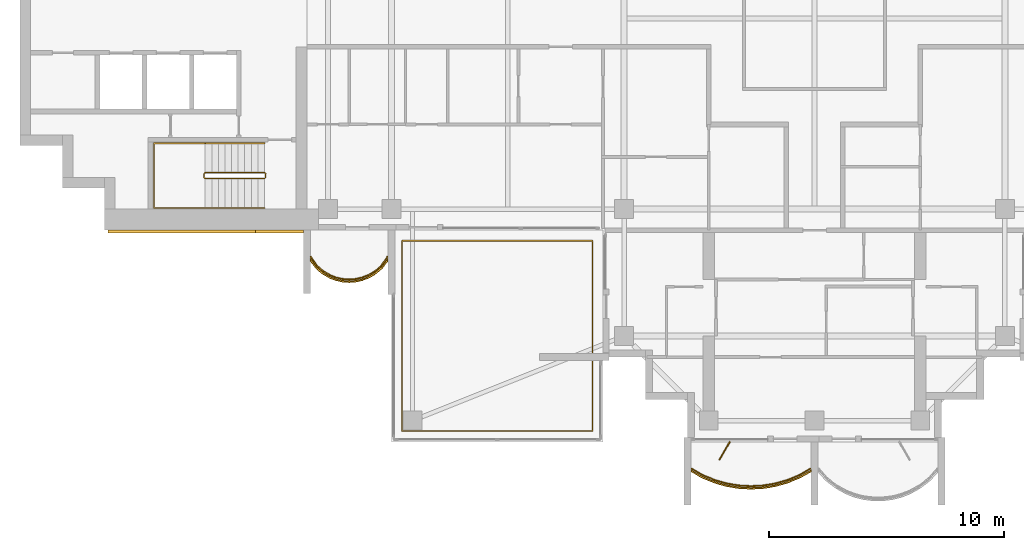
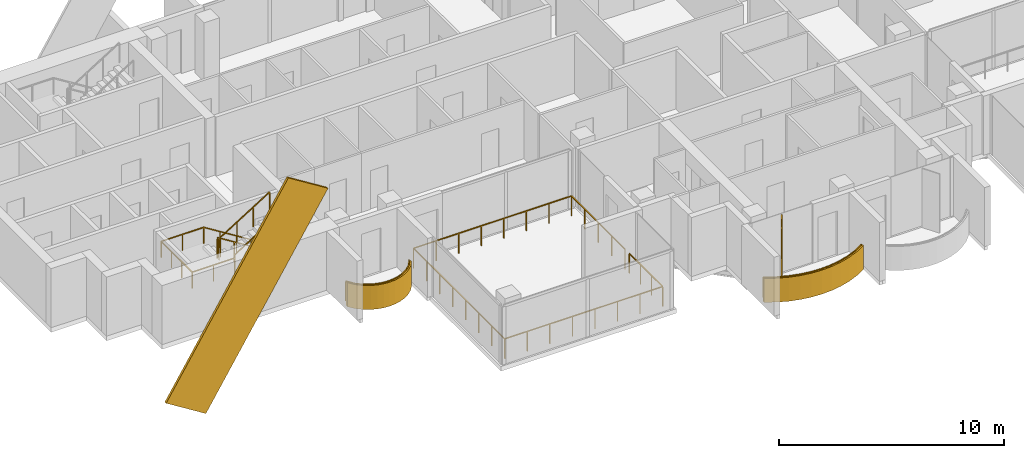
# One storey, part 15 of 18: 5 railings, 3 coverings, 1 shading device.
"""IFC4 building model written with IfcOpenShell, lengths in metres."""

from ifc_helpers import new_model, si_unit, direction, frame, origin, origin_2d, place, context, subcontext, project, spatial, polyline, rectangle, outline, extrude, material, layer, layer_set, material_profile, profile_set, type_object, element, save


model = new_model("IFC4")

# Units and contexts
model_context = context("Model", 3, precision=1e-05, world=origin(), true_north=direction((0.0, 1.0)))
body_context = subcontext(model_context, "Body", "Model", "MODEL_VIEW")
ifc_project = project(units=[si_unit("LENGTHUNIT", "METRE"), si_unit("AREAUNIT", "SQUARE_METRE"), si_unit("VOLUMEUNIT", "CUBIC_METRE"), si_unit("PLANEANGLEUNIT", "RADIAN"), si_unit("MASSUNIT", "GRAM", prefix="KILO")], contexts=[model_context])

# Site, building, storey
site_placement = place(None, origin())
site = spatial("IfcSite", under=ifc_project, at=site_placement, CompositionType="ELEMENT")
building_placement = place(site_placement, origin())
building = spatial("IfcBuilding", under=site, at=building_placement, Name="Perihelion Cross Residences", CompositionType="ELEMENT")
storey_placement = place(building_placement, frame((0.0, 0.0, 281.5)))
storey = spatial("IfcBuildingStorey", under=building, at=storey_placement, Name="L72", CompositionType="ELEMENT", Elevation=281.5)

# Coverings
ifc_material_1 = material(Name="Bronze anodised aluminium", Category="aluminium")
ifc_layer_1 = layer(ifc_material_1, 0.070068359375)
ifc_layer_set_1 = layer_set([ifc_layer_1], Name="Balcony fascia 1300")
covering_type_1 = type_object("IfcCoveringType", Name="Balcony fascia 1300", PredefinedType="CLADDING", material=ifc_layer_set_1)
covering_1_placement = place(storey_placement, frame((0.0, 0.0, -0.199951171875)))
element("IfcCovering", 1, at=covering_1_placement, inside=storey, type_object=covering_type_1, Name="Fascia BF1 L72 west side south bay 1", PredefinedType="CLADDING", context=body_context, shape_type="SweptSolid", body=[
    extrude(outline(polyline([(-21.226318359375, -10.616455078125), (-20.94091796875, -10.86328125), (-20.655517578125, -11.031494140625), (-20.370361328125, -11.142578125), (-20.085205078125, -11.206298828125), (-19.800048828125, -11.22705078125), (-19.514892578125, -11.206298828125), (-19.229736328125, -11.142578125), (-18.9443359375, -11.031494140625), (-18.6591796875, -10.86328125), (-18.373779296875, -10.616455078125), (-18.14990234375, -10.31689453125), (-18.14990234375, -10.199951171875), (-18.425048828125, -10.568603515625), (-18.699951171875, -10.806396484375), (-18.97509765625, -10.96875), (-19.25, -11.07568359375), (-19.52490234375, -11.136962890625), (-19.800048828125, -11.156982421875), (-20.074951171875, -11.136962890625), (-20.35009765625, -11.07568359375), (-20.625, -10.96875), (-20.89990234375, -10.806396484375), (-21.175048828125, -10.568603515625), (-21.449951171875, -10.199951171875), (-21.449951171875, -10.31689453125), (-21.226318359375, -10.616455078125)])), origin(), (0.0, 0.0, 1.0), 1.300048828125),
])
covering_2_placement = place(storey_placement, frame((0.0, 0.0, -0.199951171875)))
element("IfcCovering", 2, at=covering_2_placement, inside=storey, type_object=covering_type_1, Name="Fascia BF1 L72 south tip south bay 1", PredefinedType="CLADDING", context=body_context, shape_type="SweptSolid", body=[
    extrude(outline(polyline([(-4.7705078125, -19.54833984375), (-4.2529296875, -19.7607421875), (-3.735107421875, -19.906494140625), (-3.217529296875, -19.991943359375), (-2.699951171875, -20.02001953125), (-2.182373046875, -19.991943359375), (-1.664794921875, -19.906494140625), (-1.147216796875, -19.7607421875), (-0.629638671875, -19.54833984375), (-0.14990234375, -19.2802734375), (-0.14990234375, -19.199951171875), (-0.659912109375, -19.4853515625), (-1.169921875, -19.694580078125), (-1.679931640625, -19.838134765625), (-2.18994140625, -19.92236328125), (-2.699951171875, -19.949951171875), (-3.2099609375, -19.92236328125), (-3.719970703125, -19.838134765625), (-4.22998046875, -19.694580078125), (-4.739990234375, -19.4853515625), (-5.25, -19.199951171875), (-5.25, -19.2802734375), (-4.7705078125, -19.54833984375)])), origin(), (0.0, 0.0, 1.0), 1.300048828125),
])

# Railings
ifc_material_2 = material(Name="Bronze anodised aluminium", Category="aluminium")
railing_type_1 = type_object("IfcRailingType", Name="Balcony guard 1100", PredefinedType="GUARDRAIL", material=ifc_material_2)
railing_1_placement = place(storey_placement, frame((-21.425048828125, -10.139892578125, 0.0)))
element("IfcRailing", 3, at=railing_1_placement, inside=storey, type_object=railing_type_1, Name="Guard GU1 L72 west side south bay 1 balcony", PredefinedType="GUARDRAIL", context=body_context, shape_type="SweptSolid", body=[
    extrude(rectangle(XDim=0.048095703125, YDim=0.048095703125, at=origin_2d()), frame((0.0, 0.0, 1.076171875), z_axis=(0.561260132269, -0.827639452857, 0.0), x_axis=(0.827639452857, 0.561260132269, 0.0)), (0.0, 0.0, 1.0), 0.4453125),
    extrude(rectangle(XDim=0.048095703125, YDim=0.048095703125, at=origin_2d()), frame((0.25, -0.36865234375, 1.076171875), z_axis=(0.756596535164, -0.653882009982, 0.0), x_axis=(0.653882009982, 0.756596535164, 0.0)), (0.0, 0.0, 1.0), 0.36376953125),
    extrude(rectangle(XDim=0.048095703125, YDim=0.048095703125, at=origin_2d()), frame((0.525146484375, -0.6064453125, 1.076171875), z_axis=(0.861048292884, -0.508523192511, 0.0), x_axis=(0.508523192511, 0.861048292884, 0.0)), (0.0, 0.0, 1.0), 0.3193359375),
    extrude(rectangle(XDim=0.048095703125, YDim=0.048095703125, at=origin_2d()), frame((0.800048828125, -0.768798828125, 1.076171875), z_axis=(0.931973602183, -0.362526143656, 0.0), x_axis=(0.362526143656, 0.931973602183, 0.0)), (0.0, 0.0, 1.0), 0.294921875),
    extrude(rectangle(XDim=0.048095703125, YDim=0.048095703125, at=origin_2d()), frame((1.074951171875, -0.875732421875, 1.076171875), z_axis=(0.976085059389, -0.21738895289, 0.0), x_axis=(0.21738895289, 0.976085059389, 0.0)), (0.0, 0.0, 1.0), 0.281982421875),
    extrude(rectangle(XDim=0.048095703125, YDim=0.048095703125, at=origin_2d()), frame((1.35009765625, -0.93701171875, 1.076171875), z_axis=(0.997358821833, -0.072631814734, 0.0), x_axis=(0.072631814734, 0.997358821833, 0.0)), (0.0, 0.0, 1.0), 0.275634765625),
    extrude(rectangle(XDim=0.048095703125, YDim=0.048095703125, at=origin_2d()), frame((1.625, -0.95703125, 1.076171875), z_axis=(0.997363488337, 0.072567707226, 0.0), x_axis=(-0.072567707226, 0.997363488337, 0.0)), (0.0, 0.0, 1.0), 0.27587890625),
    extrude(rectangle(XDim=0.048095703125, YDim=0.048095703125, at=origin_2d()), frame((1.900146484375, -0.93701171875, 1.076171875), z_axis=(0.976044077717, 0.217572880557, 0.0), x_axis=(-0.217572880557, 0.976044077717, 0.0)), (0.0, 0.0, 1.0), 0.28173828125),
    extrude(rectangle(XDim=0.048095703125, YDim=0.048095703125, at=origin_2d()), frame((2.175048828125, -0.875732421875, 1.076171875), z_axis=(0.931973602183, 0.362526143656, 0.0), x_axis=(-0.362526143656, 0.931973602183, 0.0)), (0.0, 0.0, 1.0), 0.294921875),
    extrude(rectangle(XDim=0.048095703125, YDim=0.048095703125, at=origin_2d()), frame((2.449951171875, -0.768798828125, 1.076171875), z_axis=(0.861245845072, 0.508188542123, 0.0), x_axis=(-0.508188542123, 0.861245845072, 0.0)), (0.0, 0.0, 1.0), 0.319580078125),
    extrude(rectangle(XDim=0.048095703125, YDim=0.048095703125, at=origin_2d()), frame((2.72509765625, -0.6064453125, 1.076171875), z_axis=(0.756309278473, 0.654214242658, 0.0), x_axis=(-0.654214242658, 0.756309278473, 0.0)), (0.0, 0.0, 1.0), 0.363525390625),
    extrude(rectangle(XDim=0.048095703125, YDim=0.048095703125, at=origin_2d()), frame((3.0, -0.36865234375, 1.076171875), z_axis=(0.561260132269, 0.827639452857, 0.0), x_axis=(-0.827639452857, 0.561260132269, 0.0)), (0.0, 0.0, 1.0), 0.4453125),
    extrude(rectangle(XDim=0.0419921875, YDim=0.0419921875, at=origin_2d()), origin(), (0.0, 0.0, 1.0), 1.052001953125),
    extrude(rectangle(XDim=0.0419921875, YDim=0.0419921875, at=origin_2d()), frame((0.25, -0.36865234375, 0.0)), (0.0, 0.0, 1.0), 1.052001953125),
    extrude(rectangle(XDim=0.0419921875, YDim=0.0419921875, at=origin_2d()), frame((0.525146484375, -0.6064453125, 0.0)), (0.0, 0.0, 1.0), 1.052001953125),
    extrude(rectangle(XDim=0.0419921875, YDim=0.0419921875, at=origin_2d()), frame((0.800048828125, -0.768798828125, 0.0)), (0.0, 0.0, 1.0), 1.052001953125),
    extrude(rectangle(XDim=0.0419921875, YDim=0.0419921875, at=origin_2d()), frame((1.074951171875, -0.875732421875, 0.0)), (0.0, 0.0, 1.0), 1.052001953125),
    extrude(rectangle(XDim=0.0419921875, YDim=0.0419921875, at=origin_2d()), frame((1.35009765625, -0.93701171875, 0.0)), (0.0, 0.0, 1.0), 1.052001953125),
    extrude(rectangle(XDim=0.0419921875, YDim=0.0419921875, at=origin_2d()), frame((1.625, -0.95703125, 0.0)), (0.0, 0.0, 1.0), 1.052001953125),
    extrude(rectangle(XDim=0.0419921875, YDim=0.0419921875, at=origin_2d()), frame((1.900146484375, -0.93701171875, 0.0)), (0.0, 0.0, 1.0), 1.052001953125),
    extrude(rectangle(XDim=0.0419921875, YDim=0.0419921875, at=origin_2d()), frame((2.175048828125, -0.875732421875, 0.0)), (0.0, 0.0, 1.0), 1.052001953125),
    extrude(rectangle(XDim=0.0419921875, YDim=0.0419921875, at=origin_2d()), frame((2.449951171875, -0.768798828125, 0.0)), (0.0, 0.0, 1.0), 1.052001953125),
    extrude(rectangle(XDim=0.0419921875, YDim=0.0419921875, at=origin_2d()), frame((2.72509765625, -0.6064453125, 0.0)), (0.0, 0.0, 1.0), 1.052001953125),
    extrude(rectangle(XDim=0.0419921875, YDim=0.0419921875, at=origin_2d()), frame((3.0, -0.36865234375, 0.0)), (0.0, 0.0, 1.0), 1.052001953125),
    extrude(rectangle(XDim=0.0419921875, YDim=0.0419921875, at=origin_2d()), frame((3.25, 0.0, 0.0)), (0.0, 0.0, 1.0), 1.052001953125),
])
railing_2_placement = place(storey_placement, frame((-5.22509765625, -19.139892578125, 0.0)))
element("IfcRailing", 4, at=railing_2_placement, inside=storey, type_object=railing_type_1, Name="Guard GU1 L72 south tip south bay 1 balcony", PredefinedType="GUARDRAIL", context=body_context, shape_type="SweptSolid", body=[
    extrude(rectangle(XDim=0.048095703125, YDim=0.048095703125, at=origin_2d()), frame((0.0, 0.0, 1.076171875), z_axis=(0.861900760591, -0.507076995033, 0.0), x_axis=(0.507076995033, 0.861900760591, 0.0)), (0.0, 0.0, 1.0), 0.562744140625),
    extrude(rectangle(XDim=0.048095703125, YDim=0.048095703125, at=origin_2d()), frame((0.485107421875, -0.285400390625, 1.076171875), z_axis=(0.925172605972, -0.379546636342, 0.0), x_axis=(0.379546636342, 0.925172605972, 0.0)), (0.0, 0.0, 1.0), 0.55126953125),
    extrude(rectangle(XDim=0.048095703125, YDim=0.048095703125, at=origin_2d()), frame((0.9951171875, -0.49462890625, 1.076171875), z_axis=(0.962474364231, -0.271372618732, 0.0), x_axis=(0.271372618732, 0.962474364231, 0.0)), (0.0, 0.0, 1.0), 0.52978515625),
    extrude(rectangle(XDim=0.048095703125, YDim=0.048095703125, at=origin_2d()), frame((1.505126953125, -0.638427734375, 1.076171875), z_axis=(0.986711211531, -0.162483799314, 0.0), x_axis=(0.162483799314, 0.986711211531, 0.0)), (0.0, 0.0, 1.0), 0.516845703125),
    extrude(rectangle(XDim=0.048095703125, YDim=0.048095703125, at=origin_2d()), frame((2.01513671875, -0.722412109375, 1.076171875), z_axis=(0.998540183677, -0.05401390175, 0.0), x_axis=(0.05401390175, 0.998540183677, 0.0)), (0.0, 0.0, 1.0), 0.5107421875),
    extrude(rectangle(XDim=0.048095703125, YDim=0.048095703125, at=origin_2d()), frame((2.525146484375, -0.75, 1.076171875), z_axis=(0.998540183677, 0.05401390175, 0.0), x_axis=(-0.05401390175, 0.998540183677, 0.0)), (0.0, 0.0, 1.0), 0.5107421875),
    extrude(rectangle(XDim=0.048095703125, YDim=0.048095703125, at=origin_2d()), frame((3.03515625, -0.722412109375, 1.076171875), z_axis=(0.986711211531, 0.162483799314, 0.0), x_axis=(-0.162483799314, 0.986711211531, 0.0)), (0.0, 0.0, 1.0), 0.516845703125),
    extrude(rectangle(XDim=0.048095703125, YDim=0.048095703125, at=origin_2d()), frame((3.545166015625, -0.638427734375, 1.076171875), z_axis=(0.962474364231, 0.271372618732, 0.0), x_axis=(-0.271372618732, 0.962474364231, 0.0)), (0.0, 0.0, 1.0), 0.52978515625),
    extrude(rectangle(XDim=0.048095703125, YDim=0.048095703125, at=origin_2d()), frame((4.05517578125, -0.49462890625, 1.076171875), z_axis=(0.925172605972, 0.379546636342, 0.0), x_axis=(-0.379546636342, 0.925172605972, 0.0)), (0.0, 0.0, 1.0), 0.55126953125),
    extrude(rectangle(XDim=0.048095703125, YDim=0.048095703125, at=origin_2d()), frame((4.565185546875, -0.285400390625, 1.076171875), z_axis=(0.861789164031, 0.507266632806, 0.0), x_axis=(-0.507266632806, 0.861789164031, 0.0)), (0.0, 0.0, 1.0), 0.562744140625),
    extrude(rectangle(XDim=0.0419921875, YDim=0.0419921875, at=origin_2d()), origin(), (0.0, 0.0, 1.0), 1.052001953125),
    extrude(rectangle(XDim=0.0419921875, YDim=0.0419921875, at=origin_2d()), frame((0.485107421875, -0.285400390625, 0.0)), (0.0, 0.0, 1.0), 1.052001953125),
    extrude(rectangle(XDim=0.0419921875, YDim=0.0419921875, at=origin_2d()), frame((0.9951171875, -0.49462890625, 0.0)), (0.0, 0.0, 1.0), 1.052001953125),
    extrude(rectangle(XDim=0.0419921875, YDim=0.0419921875, at=origin_2d()), frame((1.505126953125, -0.638427734375, 0.0)), (0.0, 0.0, 1.0), 1.052001953125),
    extrude(rectangle(XDim=0.0419921875, YDim=0.0419921875, at=origin_2d()), frame((2.01513671875, -0.722412109375, 0.0)), (0.0, 0.0, 1.0), 1.052001953125),
    extrude(rectangle(XDim=0.0419921875, YDim=0.0419921875, at=origin_2d()), frame((2.525146484375, -0.75, 0.0)), (0.0, 0.0, 1.0), 1.052001953125),
    extrude(rectangle(XDim=0.0419921875, YDim=0.0419921875, at=origin_2d()), frame((3.03515625, -0.722412109375, 0.0)), (0.0, 0.0, 1.0), 1.052001953125),
    extrude(rectangle(XDim=0.0419921875, YDim=0.0419921875, at=origin_2d()), frame((3.545166015625, -0.638427734375, 0.0)), (0.0, 0.0, 1.0), 1.052001953125),
    extrude(rectangle(XDim=0.0419921875, YDim=0.0419921875, at=origin_2d()), frame((4.05517578125, -0.49462890625, 0.0)), (0.0, 0.0, 1.0), 1.052001953125),
    extrude(rectangle(XDim=0.0419921875, YDim=0.0419921875, at=origin_2d()), frame((4.565185546875, -0.285400390625, 0.0)), (0.0, 0.0, 1.0), 1.052001953125),
    extrude(rectangle(XDim=0.0419921875, YDim=0.0419921875, at=origin_2d()), frame((5.050048828125, 0.0, 0.0)), (0.0, 0.0, 1.0), 1.052001953125),
])
railing_3_placement = place(storey_placement, frame((-9.449951171875, -14.590087890625, 0.0)))
element("IfcRailing", 5, at=railing_3_placement, inside=storey, type_object=railing_type_1, Name="Guard GU1 L72 pocket south-west 1", PredefinedType="GUARDRAIL", context=body_context, shape_type="SweptSolid", body=[
    extrude(rectangle(XDim=0.048095703125, YDim=0.048095703125, at=origin_2d()), frame((0.0, 0.0, 1.076171875), z_axis=(0.0, -1.0, 0.0), x_axis=(1.0, 0.0, 0.0)), (0.0, 0.0, 1.0), 2.9599609375),
    extrude(rectangle(XDim=0.048095703125, YDim=0.048095703125, at=origin_2d()), frame((0.0, -2.9599609375, 1.076171875), z_axis=(-1.0, 0.0, 0.0), x_axis=(0.0, -1.0, 0.0)), (0.0, 0.0, 1.0), 8.10009765625),
    extrude(rectangle(XDim=0.048095703125, YDim=0.048095703125, at=origin_2d()), frame((-8.10009765625, -2.9599609375, 1.076171875), z_axis=(0.0, 1.0, 0.0), x_axis=(-1.0, 0.0, 0.0)), (0.0, 0.0, 1.0), 8.10009765625),
    extrude(rectangle(XDim=0.048095703125, YDim=0.048095703125, at=origin_2d()), frame((-8.10009765625, 5.14013671875, 1.076171875), z_axis=(1.0, 0.0, 0.0), x_axis=(0.0, 1.0, 0.0)), (0.0, 0.0, 1.0), 8.10009765625),
    extrude(rectangle(XDim=0.048095703125, YDim=0.048095703125, at=origin_2d()), frame((0.0, 5.14013671875, 1.076171875), z_axis=(0.0, -1.0, 0.0), x_axis=(1.0, 0.0, 0.0)), (0.0, 0.0, 1.0), 4.760009765625),
    extrude(rectangle(XDim=0.0419921875, YDim=0.0419921875, at=origin_2d()), origin(), (0.0, 0.0, 1.0), 1.052001953125),
    extrude(rectangle(XDim=0.0419921875, YDim=0.0419921875, at=origin_2d()), frame((0.0, -0.986572265625, 0.0)), (0.0, 0.0, 1.0), 1.052001953125),
    extrude(rectangle(XDim=0.0419921875, YDim=0.0419921875, at=origin_2d()), frame((0.0, -1.973388671875, 0.0)), (0.0, 0.0, 1.0), 1.052001953125),
    extrude(rectangle(XDim=0.0419921875, YDim=0.0419921875, at=origin_2d()), frame((0.0, -2.9599609375, 0.0)), (0.0, 0.0, 1.0), 1.052001953125),
    extrude(rectangle(XDim=0.0419921875, YDim=0.0419921875, at=origin_2d()), frame((-1.1572265625, -2.9599609375, 0.0)), (0.0, 0.0, 1.0), 1.052001953125),
    extrude(rectangle(XDim=0.0419921875, YDim=0.0419921875, at=origin_2d()), frame((-2.314208984375, -2.9599609375, 0.0)), (0.0, 0.0, 1.0), 1.052001953125),
    extrude(rectangle(XDim=0.0419921875, YDim=0.0419921875, at=origin_2d()), frame((-3.471435546875, -2.9599609375, 0.0)), (0.0, 0.0, 1.0), 1.052001953125),
    extrude(rectangle(XDim=0.0419921875, YDim=0.0419921875, at=origin_2d()), frame((-4.628662109375, -2.9599609375, 0.0)), (0.0, 0.0, 1.0), 1.052001953125),
    extrude(rectangle(XDim=0.0419921875, YDim=0.0419921875, at=origin_2d()), frame((-5.785888671875, -2.9599609375, 0.0)), (0.0, 0.0, 1.0), 1.052001953125),
    extrude(rectangle(XDim=0.0419921875, YDim=0.0419921875, at=origin_2d()), frame((-6.94287109375, -2.9599609375, 0.0)), (0.0, 0.0, 1.0), 1.052001953125),
    extrude(rectangle(XDim=0.0419921875, YDim=0.0419921875, at=origin_2d()), frame((-8.10009765625, -2.9599609375, 0.0)), (0.0, 0.0, 1.0), 1.052001953125),
    extrude(rectangle(XDim=0.0419921875, YDim=0.0419921875, at=origin_2d()), frame((-8.10009765625, -1.802734375, 0.0)), (0.0, 0.0, 1.0), 1.052001953125),
    extrude(rectangle(XDim=0.0419921875, YDim=0.0419921875, at=origin_2d()), frame((-8.10009765625, -0.645751953125, 0.0)), (0.0, 0.0, 1.0), 1.052001953125),
    extrude(rectangle(XDim=0.0419921875, YDim=0.0419921875, at=origin_2d()), frame((-8.10009765625, 0.511474609375, 0.0)), (0.0, 0.0, 1.0), 1.052001953125),
    extrude(rectangle(XDim=0.0419921875, YDim=0.0419921875, at=origin_2d()), frame((-8.10009765625, 1.668701171875, 0.0)), (0.0, 0.0, 1.0), 1.052001953125),
    extrude(rectangle(XDim=0.0419921875, YDim=0.0419921875, at=origin_2d()), frame((-8.10009765625, 2.825927734375, 0.0)), (0.0, 0.0, 1.0), 1.052001953125),
    extrude(rectangle(XDim=0.0419921875, YDim=0.0419921875, at=origin_2d()), frame((-8.10009765625, 3.98291015625, 0.0)), (0.0, 0.0, 1.0), 1.052001953125),
    extrude(rectangle(XDim=0.0419921875, YDim=0.0419921875, at=origin_2d()), frame((-8.10009765625, 5.14013671875, 0.0)), (0.0, 0.0, 1.0), 1.052001953125),
    extrude(rectangle(XDim=0.0419921875, YDim=0.0419921875, at=origin_2d()), frame((-6.94287109375, 5.14013671875, 0.0)), (0.0, 0.0, 1.0), 1.052001953125),
    extrude(rectangle(XDim=0.0419921875, YDim=0.0419921875, at=origin_2d()), frame((-5.785888671875, 5.14013671875, 0.0)), (0.0, 0.0, 1.0), 1.052001953125),
    extrude(rectangle(XDim=0.0419921875, YDim=0.0419921875, at=origin_2d()), frame((-4.628662109375, 5.14013671875, 0.0)), (0.0, 0.0, 1.0), 1.052001953125),
    extrude(rectangle(XDim=0.0419921875, YDim=0.0419921875, at=origin_2d()), frame((-3.471435546875, 5.14013671875, 0.0)), (0.0, 0.0, 1.0), 1.052001953125),
    extrude(rectangle(XDim=0.0419921875, YDim=0.0419921875, at=origin_2d()), frame((-2.314208984375, 5.14013671875, 0.0)), (0.0, 0.0, 1.0), 1.052001953125),
    extrude(rectangle(XDim=0.0419921875, YDim=0.0419921875, at=origin_2d()), frame((-1.1572265625, 5.14013671875, 0.0)), (0.0, 0.0, 1.0), 1.052001953125),
    extrude(rectangle(XDim=0.0419921875, YDim=0.0419921875, at=origin_2d()), frame((0.0, 5.14013671875, 0.0)), (0.0, 0.0, 1.0), 1.052001953125),
    extrude(rectangle(XDim=0.0419921875, YDim=0.0419921875, at=origin_2d()), frame((0.0, 3.9501953125, 0.0)), (0.0, 0.0, 1.0), 1.052001953125),
    extrude(rectangle(XDim=0.0419921875, YDim=0.0419921875, at=origin_2d()), frame((0.0, 2.76025390625, 0.0)), (0.0, 0.0, 1.0), 1.052001953125),
    extrude(rectangle(XDim=0.0419921875, YDim=0.0419921875, at=origin_2d()), frame((0.0, 1.570068359375, 0.0)), (0.0, 0.0, 1.0), 1.052001953125),
    extrude(rectangle(XDim=0.0419921875, YDim=0.0419921875, at=origin_2d()), frame((0.0, 0.380126953125, 0.0)), (0.0, 0.0, 1.0), 1.052001953125),
])

# Covering
ifc_material_3 = material(Name="Bronze anodised aluminium", Category="aluminium")
ifc_material_profile = material_profile(ifc_material_3, rectangle(XDim=0.125, YDim=2.39990234375, at=origin_2d()), Name="Bronze cladding band 2400")
ifc_profile_set = profile_set([ifc_material_profile], Name="Bronze anodised aluminium")
covering_type_2 = type_object("IfcCoveringType", Name="Bronze cladding band 2400", PredefinedType="CLADDING", material=ifc_profile_set)
covering_3_placement = place(storey_placement, frame((-29.0322265625, -9.0625, -3.78759765625), z_axis=(0.529915403603, 0.0, 0.848050508534), x_axis=(0.0, 1.0, 0.0)))
element("IfcCovering", 6, at=covering_3_placement, inside=storey, type_object=covering_type_2, Name="Core cladding band, west core", PredefinedType="CLADDING", context=body_context, shape_type="SweptSolid", body=[
    extrude(rectangle(XDim=0.125, YDim=2.39990234375, at=origin_2d()), origin(), (0.0, 0.0, 1.0), 11.822021484375),
])

# Shading device
ifc_material_4 = material(Name="Bronze anodised aluminium", Category="aluminium")
ifc_layer_2 = layer(ifc_material_4, 0.050048828125)
ifc_layer_set_2 = layer_set([ifc_layer_2], Name="Bronze fin 900")
shading_device_type = type_object("IfcShadingDeviceType", Name="Bronze fin 900", PredefinedType="USERDEFINED", material=ifc_layer_set_2)
shading_device_placement = place(storey_placement, frame((-3.824951171875, -18.3896484375, 0.0), z_axis=(0.0, 0.0, 1.0), x_axis=(-0.5, -0.866025403784, 0.0)))
element("IfcShadingDevice", 7, at=shading_device_placement, inside=storey, type_object=shading_device_type, Name="Fin FN1 L72 south tip south bay 1", ObjectType="FIN", PredefinedType="USERDEFINED", context=body_context, shape_type="SweptSolid", body=[
    extrude(rectangle(XDim=0.89990234375, YDim=0.050048828125, at=origin_2d()), origin(), (0.0, 0.0, 1.0), 3.199951171875),
])

# Railings
ifc_material_5 = material(Name="Stainless steel", Category="steel")
railing_type_2 = type_object("IfcRailingType", Name="Stair guard 1100", PredefinedType="GUARDRAIL", material=ifc_material_5)
railing_4_placement = place(storey_placement, frame((-23.35009765625, -6.75, 0.0)))
element("IfcRailing", 8, at=railing_4_placement, inside=storey, type_object=railing_type_2, Name="L72 ST-W2 stair guard 1", PredefinedType="GUARDRAIL", context=body_context, shape_type="SweptSolid", body=[
    extrude(rectangle(XDim=0.048095703125, YDim=0.048095703125, at=origin_2d()), frame((0.0, 0.0, 1.076171875), z_axis=(0.0, 1.0, 0.0), x_axis=(-1.0, 0.0, 0.0)), (0.0, 0.0, 1.0), 0.14990234375),
    extrude(rectangle(XDim=0.048095703125, YDim=0.048095703125, at=origin_2d()), frame((0.0, 0.14990234375, 1.076171875), z_axis=(-0.263862480399, 0.265155923931, 0.927399011991), x_axis=(-0.708833529934, -0.705375805398, 0.0)), (0.0, 0.0, 1.0), 0.188720703125),
    extrude(rectangle(XDim=0.048095703125, YDim=0.048095703125, at=origin_2d()), frame((-0.0498046875, 0.199951171875, 1.2509765625), z_axis=(-0.848007534815, 0.0, 0.529984170421), x_axis=(0.0, -1.0, 0.0)), (0.0, 0.0, 1.0), 2.9716796875),
    extrude(rectangle(XDim=0.048095703125, YDim=0.048095703125, at=origin_2d()), frame((-2.56982421875, 0.199951171875, 2.826171875), z_axis=(-0.707106781187, -0.707106781187, 0.0), x_axis=(0.707106781187, -0.707106781187, 0.0)), (0.0, 0.0, 1.0), 0.07080078125),
    extrude(rectangle(XDim=0.048095703125, YDim=0.048095703125, at=origin_2d()), frame((-2.619873046875, 0.14990234375, 2.826171875), z_axis=(0.0, -1.0, 0.0), x_axis=(1.0, 0.0, 0.0)), (0.0, 0.0, 1.0), 0.14990234375),
    extrude(rectangle(XDim=0.048095703125, YDim=0.048095703125, at=origin_2d()), frame((-2.619873046875, 0.0, 2.826171875), z_axis=(0.265065253269, -0.265065253269, 0.927081885822), x_axis=(0.707106781187, 0.707106781187, 0.0)), (0.0, 0.0, 1.0), 0.188720703125),
    extrude(rectangle(XDim=0.048095703125, YDim=0.048095703125, at=origin_2d()), frame((-2.56982421875, -0.050048828125, 3.0009765625), z_axis=(0.848007534815, 0.0, 0.529984170421), x_axis=(0.0, 1.0, 0.0)), (0.0, 0.0, 1.0), 2.9716796875),
    extrude(rectangle(XDim=0.0419921875, YDim=0.0419921875, at=origin_2d()), origin(), (0.0, 0.0, 1.0), 1.052001953125),
    extrude(rectangle(XDim=0.0419921875, YDim=0.0419921875, at=origin_2d()), frame((0.0, 0.14990234375, 0.0)), (0.0, 0.0, 1.0), 1.052001953125),
    extrude(rectangle(XDim=0.0419921875, YDim=0.0419921875, at=origin_2d()), frame((-0.0498046875, 0.199951171875, 0.175048828125)), (0.0, 0.0, 1.0), 1.052001953125),
    extrude(rectangle(XDim=0.0419921875, YDim=0.0419921875, at=origin_2d()), frame((-0.889892578125, 0.199951171875, 0.699951171875)), (0.0, 0.0, 1.0), 1.052001953125),
    extrude(rectangle(XDim=0.0419921875, YDim=0.0419921875, at=origin_2d()), frame((-1.729736328125, 0.199951171875, 1.22509765625)), (0.0, 0.0, 1.0), 1.052001953125),
    extrude(rectangle(XDim=0.0419921875, YDim=0.0419921875, at=origin_2d()), frame((-2.56982421875, 0.199951171875, 1.75)), (0.0, 0.0, 1.0), 1.052001953125),
    extrude(rectangle(XDim=0.0419921875, YDim=0.0419921875, at=origin_2d()), frame((-2.619873046875, 0.14990234375, 1.75)), (0.0, 0.0, 1.0), 1.052001953125),
    extrude(rectangle(XDim=0.0419921875, YDim=0.0419921875, at=origin_2d()), frame((-2.619873046875, 0.0, 1.75)), (0.0, 0.0, 1.0), 1.052001953125),
    extrude(rectangle(XDim=0.0419921875, YDim=0.0419921875, at=origin_2d()), frame((-2.56982421875, -0.050048828125, 1.925048828125)), (0.0, 0.0, 1.0), 1.052001953125),
    extrude(rectangle(XDim=0.0419921875, YDim=0.0419921875, at=origin_2d()), frame((-1.729736328125, -0.050048828125, 2.449951171875)), (0.0, 0.0, 1.0), 1.052001953125),
    extrude(rectangle(XDim=0.0419921875, YDim=0.0419921875, at=origin_2d()), frame((-0.889892578125, -0.050048828125, 2.97509765625)), (0.0, 0.0, 1.0), 1.052001953125),
    extrude(rectangle(XDim=0.0419921875, YDim=0.0419921875, at=origin_2d()), frame((-0.0498046875, -0.050048828125, 3.5)), (0.0, 0.0, 1.0), 1.052001953125),
])
ifc_material_6 = material(Name="Stainless steel", Category="steel")
railing_type_3 = type_object("IfcRailingType", Name="Stair handrail 900", PredefinedType="HANDRAIL", material=ifc_material_6)
railing_5_placement = place(storey_placement, frame((-23.39990234375, -5.300048828125, 0.175048828125)))
element("IfcRailing", 9, at=railing_5_placement, inside=storey, type_object=railing_type_3, Name="L72 ST-W2 stair handrail 1", PredefinedType="HANDRAIL", context=body_context, shape_type="SweptSolid", body=[
    extrude(rectangle(XDim=0.048095703125, YDim=0.048095703125, at=origin_2d()), frame((0.0, 0.0, 0.8759765625), z_axis=(-0.848007534815, 0.0, 0.529984170421), x_axis=(0.0, -1.0, 0.0)), (0.0, 0.0, 1.0), 2.9716796875),
    extrude(rectangle(XDim=0.048095703125, YDim=0.048095703125, at=origin_2d()), frame((-2.52001953125, 0.0, 2.45068359375), z_axis=(-1.0, 0.0, 0.0), x_axis=(0.0, -1.0, 0.0)), (0.0, 0.0, 1.0), 2.18017578125),
    extrude(rectangle(XDim=0.048095703125, YDim=0.048095703125, at=origin_2d()), frame((-4.7001953125, 0.0, 2.45068359375), z_axis=(0.0, -1.0, 0.0), x_axis=(1.0, 0.0, 0.0)), (0.0, 0.0, 1.0), 2.75),
    extrude(rectangle(XDim=0.048095703125, YDim=0.048095703125, at=origin_2d()), frame((-4.7001953125, -2.75, 2.45068359375), z_axis=(1.0, 0.0, 0.0), x_axis=(0.0, 1.0, 0.0)), (0.0, 0.0, 1.0), 2.18017578125),
    extrude(rectangle(XDim=0.048095703125, YDim=0.048095703125, at=origin_2d()), frame((-2.52001953125, -2.75, 2.45068359375), z_axis=(0.0, 0.0, 1.0), x_axis=(1.0, 0.0, 0.0)), (0.0, 0.0, 1.0), 0.175048828125),
    extrude(rectangle(XDim=0.048095703125, YDim=0.048095703125, at=origin_2d()), frame((-2.52001953125, -2.75, 2.6259765625), z_axis=(0.848007534815, 0.0, 0.529984170421), x_axis=(0.0, 1.0, 0.0)), (0.0, 0.0, 1.0), 2.9716796875),
    extrude(rectangle(XDim=0.0419921875, YDim=0.0419921875, at=origin_2d()), origin(), (0.0, 0.0, 1.0), 0.851806640625),
    extrude(rectangle(XDim=0.0419921875, YDim=0.0419921875, at=origin_2d()), frame((-0.840087890625, 0.0, 0.52490234375)), (0.0, 0.0, 1.0), 0.851806640625),
    extrude(rectangle(XDim=0.0419921875, YDim=0.0419921875, at=origin_2d()), frame((-1.679931640625, 0.0, 1.050048828125)), (0.0, 0.0, 1.0), 0.851806640625),
    extrude(rectangle(XDim=0.0419921875, YDim=0.0419921875, at=origin_2d()), frame((-2.52001953125, 0.0, 1.574951171875)), (0.0, 0.0, 1.0), 0.851806640625),
    extrude(rectangle(XDim=0.0419921875, YDim=0.0419921875, at=origin_2d()), frame((-3.610107421875, 0.0, 1.574951171875)), (0.0, 0.0, 1.0), 0.851806640625),
    extrude(rectangle(XDim=0.0419921875, YDim=0.0419921875, at=origin_2d()), frame((-4.7001953125, 0.0, 1.574951171875)), (0.0, 0.0, 1.0), 0.851806640625),
    extrude(rectangle(XDim=0.0419921875, YDim=0.0419921875, at=origin_2d()), frame((-4.7001953125, -0.916748046875, 1.574951171875)), (0.0, 0.0, 1.0), 0.851806640625),
    extrude(rectangle(XDim=0.0419921875, YDim=0.0419921875, at=origin_2d()), frame((-4.7001953125, -1.833251953125, 1.574951171875)), (0.0, 0.0, 1.0), 0.851806640625),
    extrude(rectangle(XDim=0.0419921875, YDim=0.0419921875, at=origin_2d()), frame((-4.7001953125, -2.75, 1.574951171875)), (0.0, 0.0, 1.0), 0.851806640625),
    extrude(rectangle(XDim=0.0419921875, YDim=0.0419921875, at=origin_2d()), frame((-3.610107421875, -2.75, 1.574951171875)), (0.0, 0.0, 1.0), 0.851806640625),
    extrude(rectangle(XDim=0.0419921875, YDim=0.0419921875, at=origin_2d()), frame((-2.52001953125, -2.75, 1.574951171875)), (0.0, 0.0, 1.0), 0.851806640625),
    extrude(rectangle(XDim=0.0419921875, YDim=0.0419921875, at=origin_2d()), frame((-2.52001953125, -2.75, 1.75)), (0.0, 0.0, 1.0), 0.851806640625),
    extrude(rectangle(XDim=0.0419921875, YDim=0.0419921875, at=origin_2d()), frame((-1.679931640625, -2.75, 2.27490234375)), (0.0, 0.0, 1.0), 0.851806640625),
    extrude(rectangle(XDim=0.0419921875, YDim=0.0419921875, at=origin_2d()), frame((-0.840087890625, -2.75, 2.800048828125)), (0.0, 0.0, 1.0), 0.851806640625),
    extrude(rectangle(XDim=0.0419921875, YDim=0.0419921875, at=origin_2d()), frame((0.0, -2.75, 3.324951171875)), (0.0, 0.0, 1.0), 0.851806640625),
])

save(model, "model.ifc")
